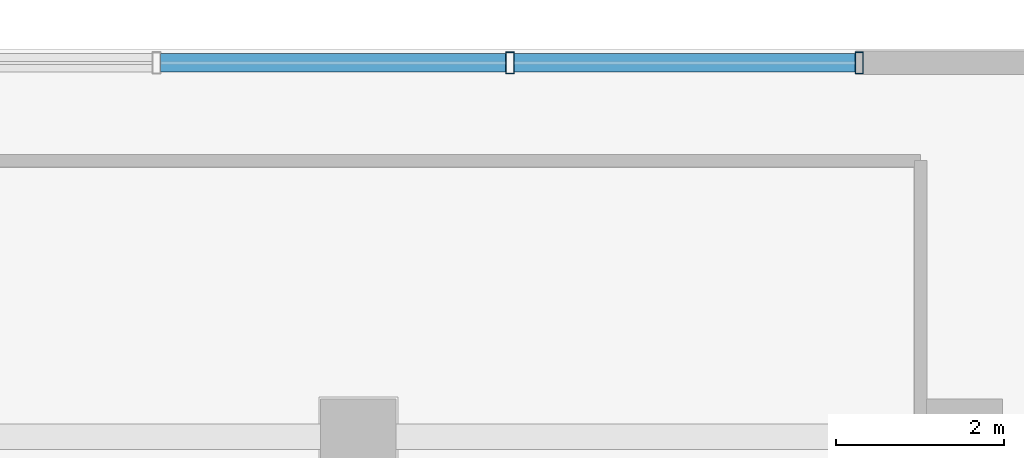
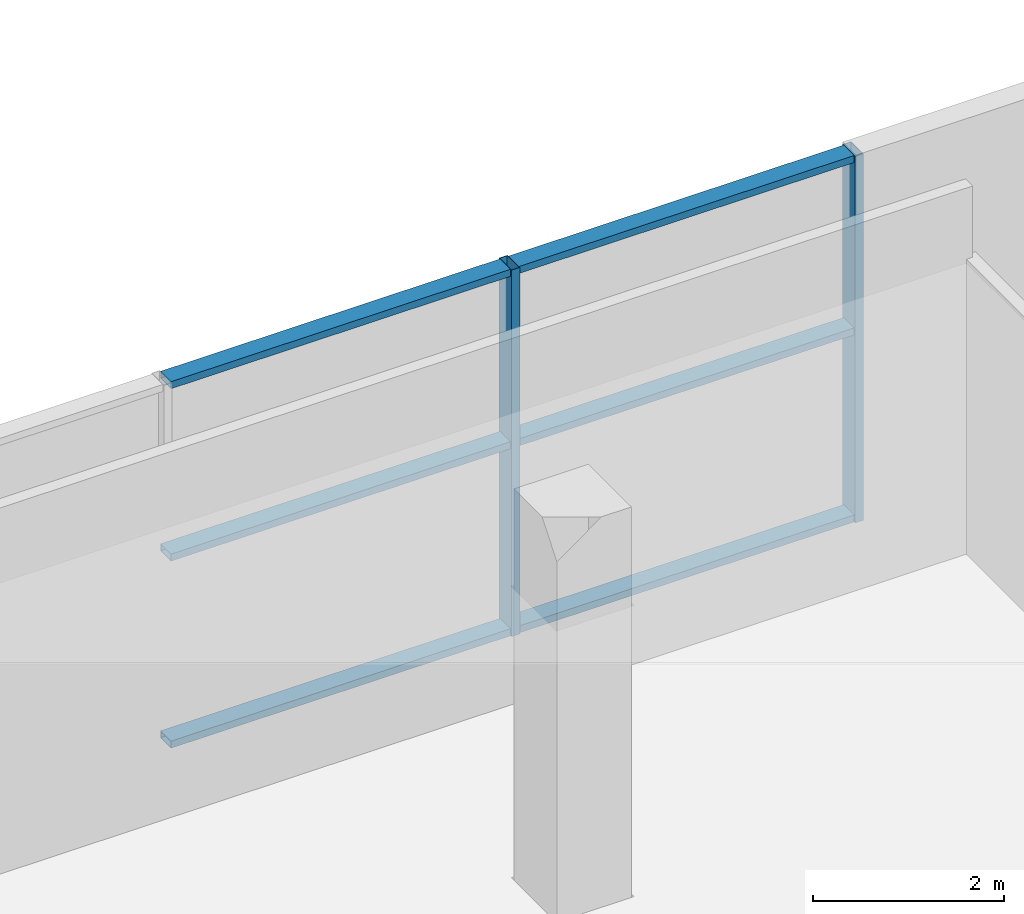
# One storey, part 11 of 27: 8 members, 1 element without a shape of its own.
"""IFC4 building model written with IfcOpenShell, lengths in metres."""

from ifc_helpers import new_model, si_unit, direction, frame, origin, origin_2d, place, context, subcontext, project, spatial, hollow_rectangle, extrude, source, transform, mapped, material, layer, layer_set, material_profile, profile_set, type_object, element, aggregate, save


model = new_model("IFC4")

# Units and contexts
model_context = context("Model", 3, precision=1e-05, world=origin(), true_north=direction((0.0, 1.0)))
body_context = subcontext(model_context, "Body", "Model", "MODEL_VIEW")
ifc_project = project(units=[si_unit("LENGTHUNIT", "METRE"), si_unit("AREAUNIT", "SQUARE_METRE"), si_unit("VOLUMEUNIT", "CUBIC_METRE"), si_unit("PLANEANGLEUNIT", "RADIAN"), si_unit("MASSUNIT", "GRAM", prefix="KILO")], contexts=[model_context])

# Site, building, storey
site_placement = place(None, origin())
site = spatial("IfcSite", under=ifc_project, at=site_placement, CompositionType="ELEMENT")
building_placement = place(site_placement, origin())
building = spatial("IfcBuilding", under=site, at=building_placement, Name="Zarnakvel Exchange Tower", CompositionType="ELEMENT")
storey_placement = place(building_placement, origin())
storey = spatial("IfcBuildingStorey", under=building, at=storey_placement, Name="L00", CompositionType="ELEMENT", Elevation=0.0)

# Curtain wall, members
ifc_material = material(Name="Architectural Bronze Anodised Aluminium", Category="aluminium")
ifc_layer = layer(ifc_material, 0.260009765625)
ifc_layer_set = layer_set([ifc_layer], Name="Architectural Bronze Anodised Aluminium")
curtain_wall_type = type_object("IfcCurtainWallType", Name="CW-01", PredefinedType="NOTDEFINED", material=ifc_layer_set)
curtain_wall_placement = place(storey_placement, origin())
curtain_wall = element("IfcCurtainWall", 1, at=curtain_wall_placement, inside=storey, type_object=curtain_wall_type, Name="L00 Curtain Wall CW-L00-N2 (CW-01)", PredefinedType="NOTDEFINED")
ifc_material_profile_1 = material_profile(ifc_material, hollow_rectangle(XDim=0.260009765625, YDim=0.10009765625, WallThickness=0.006103515625, at=origin_2d()))
ifc_profile_set_1 = profile_set([ifc_material_profile_1], Name="Architectural Bronze Anodised Aluminium")
member_type_1 = type_object("IfcMemberType", Name="CWM-01", PredefinedType="MULLION", material=ifc_profile_set_1)
shared_shape_1 = source(origin(), body_context, "Body", "SweptSolid", [
    extrude(hollow_rectangle(XDim=0.260009765625, YDim=0.10009765625, WallThickness=0.006103515625, at=origin_2d()), origin(), (0.0, 0.0, 1.0), 4.679931640625),
])
member_1_placement = place(storey_placement, frame((16.199951171875, 26.0400390625, 0.0), z_axis=(0.0, 0.0, 1.0), x_axis=(0.0, 1.0, 0.0)))
member_1 = element("IfcMember", 2, at=member_1_placement, type_object=member_type_1, Name="CW-01 mullion 3", PredefinedType="MULLION", context=body_context, shape_type="MappedRepresentation", body=[
    mapped(shared_shape_1, transform((0.0, 0.0, 0.0), x_axis=(1.0, 0.0, 0.0), y_axis=(0.0, 1.0, 0.0), z_axis=(0.0, 0.0, 1.0), scale=1.0)),
])
member_2_placement = place(storey_placement, frame((20.35009765625, 26.0400390625, 0.0), z_axis=(0.0, 0.0, 1.0), x_axis=(0.0, 1.0, 0.0)))
member_2 = element("IfcMember", 3, at=member_2_placement, type_object=member_type_1, Name="CW-01 mullion 4", PredefinedType="MULLION", context=body_context, shape_type="MappedRepresentation", body=[
    mapped(shared_shape_1, transform((0.0, 0.0, 0.0), x_axis=(1.0, 0.0, 0.0), y_axis=(0.0, 1.0, 0.0), z_axis=(0.0, 0.0, 1.0), scale=1.0)),
])
ifc_material_profile_2 = material_profile(ifc_material, hollow_rectangle(XDim=0.219970703125, YDim=0.090087890625, WallThickness=0.0048828125, at=origin_2d()))
ifc_profile_set_2 = profile_set([ifc_material_profile_2], Name="Architectural Bronze Anodised Aluminium")
member_type_2 = type_object("IfcMemberType", Name="CWT-01", PredefinedType="USERDEFINED", material=ifc_profile_set_2)
shared_shape_2 = source(origin(), body_context, "Body", "SweptSolid", [
    extrude(hollow_rectangle(XDim=0.219970703125, YDim=0.090087890625, WallThickness=0.0048828125, at=origin_2d()), origin(), (0.0, 0.0, 1.0), 4.050048828125),
])
member_3_placement = place(storey_placement, frame((16.25, 26.0400390625, 0.044921875), z_axis=(1.0, 0.0, 0.0), x_axis=(0.0, 1.0, 0.0)))
member_3 = element("IfcMember", 4, at=member_3_placement, type_object=member_type_2, Name="CW-01 transom 3.1", ObjectType="TRANSOM", PredefinedType="USERDEFINED", context=body_context, shape_type="MappedRepresentation", body=[
    mapped(shared_shape_2, transform((0.0, 0.0, 0.0), x_axis=(1.0, 0.0, 0.0), y_axis=(0.0, 1.0, 0.0), z_axis=(0.0, 0.0, 1.0), scale=1.0)),
])
member_4_placement = place(storey_placement, frame((16.25, 26.0400390625, 2.43359375), z_axis=(1.0, 0.0, 0.0), x_axis=(0.0, 1.0, 0.0)))
member_4 = element("IfcMember", 5, at=member_4_placement, type_object=member_type_2, Name="CW-01 transom 3.2", ObjectType="TRANSOM", PredefinedType="USERDEFINED", context=body_context, shape_type="MappedRepresentation", body=[
    mapped(shared_shape_2, transform((0.0, 0.0, 0.0), x_axis=(1.0, 0.0, 0.0), y_axis=(0.0, 1.0, 0.0), z_axis=(0.0, 0.0, 1.0), scale=1.0)),
])
member_5_placement = place(storey_placement, frame((16.25, 26.0400390625, 4.635009765625), z_axis=(1.0, 0.0, 0.0), x_axis=(0.0, 1.0, 0.0)))
member_5 = element("IfcMember", 6, at=member_5_placement, type_object=member_type_2, Name="CW-01 transom 3.3", ObjectType="TRANSOM", PredefinedType="USERDEFINED", context=body_context, shape_type="MappedRepresentation", body=[
    mapped(shared_shape_2, transform((0.0, 0.0, 0.0), x_axis=(1.0, 0.0, 0.0), y_axis=(0.0, 1.0, 0.0), z_axis=(0.0, 0.0, 1.0), scale=1.0)),
])
shared_shape_3 = source(origin(), body_context, "Body", "SweptSolid", [
    extrude(hollow_rectangle(XDim=0.219970703125, YDim=0.090087890625, WallThickness=0.0048828125, at=origin_2d()), origin(), (0.0, 0.0, 1.0), 4.099853515625),
])
member_6_placement = place(storey_placement, frame((12.050048828125, 26.0400390625, 0.044921875), z_axis=(1.0, 0.0, 0.0), x_axis=(0.0, 1.0, 0.0)))
member_6 = element("IfcMember", 7, at=member_6_placement, type_object=member_type_2, Name="CW-01 transom 2.1", ObjectType="TRANSOM", PredefinedType="USERDEFINED", context=body_context, shape_type="MappedRepresentation", body=[
    mapped(shared_shape_3, transform((0.0, 0.0, 0.0), x_axis=(1.0, 0.0, 0.0), y_axis=(0.0, 1.0, 0.0), z_axis=(0.0, 0.0, 1.0), scale=1.0)),
])
member_7_placement = place(storey_placement, frame((12.050048828125, 26.0400390625, 2.43359375), z_axis=(1.0, 0.0, 0.0), x_axis=(0.0, 1.0, 0.0)))
member_7 = element("IfcMember", 8, at=member_7_placement, type_object=member_type_2, Name="CW-01 transom 2.2", ObjectType="TRANSOM", PredefinedType="USERDEFINED", context=body_context, shape_type="MappedRepresentation", body=[
    mapped(shared_shape_3, transform((0.0, 0.0, 0.0), x_axis=(1.0, 0.0, 0.0), y_axis=(0.0, 1.0, 0.0), z_axis=(0.0, 0.0, 1.0), scale=1.0)),
])
member_8_placement = place(storey_placement, frame((12.050048828125, 26.0400390625, 4.635009765625), z_axis=(1.0, 0.0, 0.0), x_axis=(0.0, 1.0, 0.0)))
member_8 = element("IfcMember", 9, at=member_8_placement, type_object=member_type_2, Name="CW-01 transom 2.3", ObjectType="TRANSOM", PredefinedType="USERDEFINED", context=body_context, shape_type="MappedRepresentation", body=[
    mapped(shared_shape_3, transform((0.0, 0.0, 0.0), x_axis=(1.0, 0.0, 0.0), y_axis=(0.0, 1.0, 0.0), z_axis=(0.0, 0.0, 1.0), scale=1.0)),
])
aggregate(curtain_wall, [member_1, member_2, member_6, member_7, member_8, member_3, member_4, member_5])

save(model, "model.ifc")
